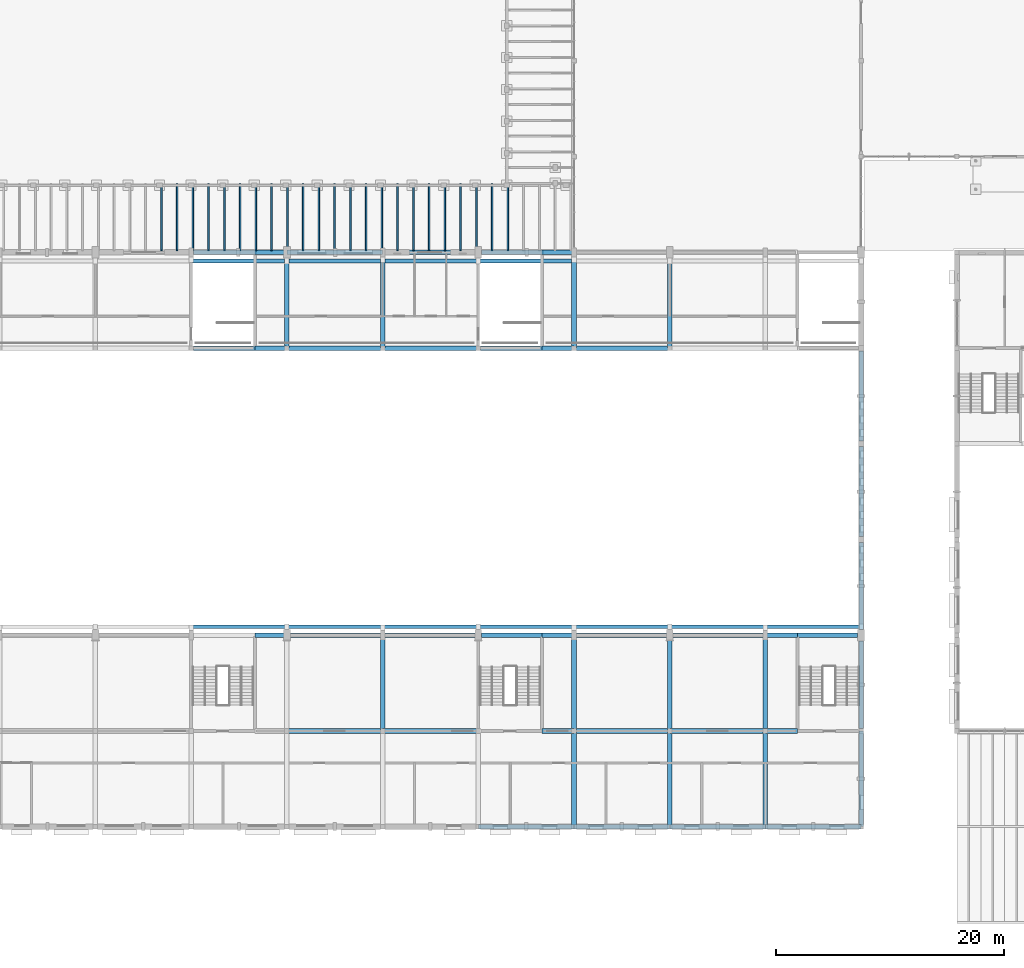
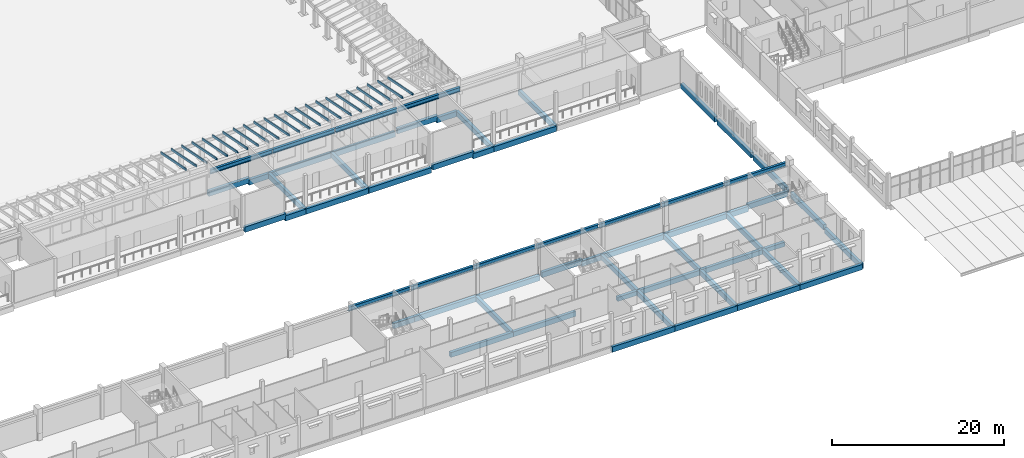
# One storey, part 9 of 60: 59 beams, 23 members.
"""IFC4 building model written with IfcOpenShell, lengths in metres."""

from ifc_helpers import new_model, si_unit, direction, frame, origin, origin_2d, place, context, subcontext, project, spatial, rectangle, i_section, extrude, material, material_profile, profile_set, type_object, element, save


model = new_model("IFC4")

# Units and contexts
model_context = context("Model", 3, precision=1e-05, world=origin(), true_north=direction((0.0, 1.0)))
body_context = subcontext(model_context, "Body", "Model", "MODEL_VIEW")
ifc_project = project(units=[si_unit("LENGTHUNIT", "METRE"), si_unit("AREAUNIT", "SQUARE_METRE"), si_unit("VOLUMEUNIT", "CUBIC_METRE"), si_unit("PLANEANGLEUNIT", "RADIAN"), si_unit("MASSUNIT", "GRAM", prefix="KILO")], contexts=[model_context])

# Site, building, storey
site_placement = place(None, origin())
site = spatial("IfcSite", under=ifc_project, at=site_placement, CompositionType="ELEMENT")
building_placement = place(site_placement, origin())
building = spatial("IfcBuilding", under=site, at=building_placement, Name="Fescue Hill Polytechnic", CompositionType="ELEMENT")
storey_placement = place(building_placement, frame((0.0, 0.0, 4.5)))
storey = spatial("IfcBuildingStorey", under=building, at=storey_placement, Name="L01", CompositionType="ELEMENT", Elevation=4.5)

# Beams
ifc_material_1 = material(Name="Concrete 35 MPa", Category="concrete")
ifc_material_profile_1 = material_profile(ifc_material_1, rectangle(XDim=0.39990234375, YDim=0.60009765625, at=origin_2d()), Name="RC 400x600")
ifc_profile_set_1 = profile_set([ifc_material_profile_1], Name="Concrete 35 MPa")
beam_type_1 = type_object("IfcBeamType", Name="Beam RC 400x600", PredefinedType="BEAM", material=ifc_profile_set_1)
beam_1_placement = place(storey_placement, frame((89.60009765625, 8.39990234375, -0.60009765625), z_axis=(1.0, 0.0, 0.0), x_axis=(0.0, 1.0, 0.0)))
element("IfcBeam", 1, at=beam_1_placement, inside=storey, type_object=beam_type_1, Name="BM-L01-0074", PredefinedType="BEAM", context=body_context, shape_type="SweptSolid", body=[
    extrude(rectangle(XDim=0.39990234375, YDim=0.60009765625, at=origin_2d()), origin(), (0.0, 0.0, 1.0), 2.789794921875),
])
beam_2_placement = place(storey_placement, frame((109.2099609375, 8.39990234375, -0.60009765625), z_axis=(1.0, 0.0, 0.0), x_axis=(0.0, 1.0, 0.0)))
element("IfcBeam", 2, at=beam_2_placement, inside=storey, type_object=beam_type_1, Name="BM-L01-0098", PredefinedType="BEAM", context=body_context, shape_type="SweptSolid", body=[
    extrude(rectangle(XDim=0.39990234375, YDim=0.60009765625, at=origin_2d()), origin(), (0.0, 0.0, 1.0), 2.7900390625),
])
ifc_material_profile_2 = material_profile(ifc_material_1, rectangle(XDim=0.39990234375, YDim=0.699951171875, at=origin_2d()), Name="RC 400x700")
ifc_profile_set_2 = profile_set([ifc_material_profile_2], Name="Concrete 35 MPa")
beam_type_2 = type_object("IfcBeamType", Name="Beam RC 400x700", PredefinedType="BEAM", material=ifc_profile_set_2)
beam_3_placement = place(storey_placement, frame((67.199951171875, 42.0, -0.64990234375), z_axis=(0.0, 1.0, 0.0), x_axis=(-1.0, 0.0, 0.0)))
element("IfcBeam", 3, at=beam_3_placement, inside=storey, type_object=beam_type_2, Name="BM-L01-0058", PredefinedType="BEAM", context=body_context, shape_type="SweptSolid", body=[
    extrude(rectangle(XDim=0.39990234375, YDim=0.699951171875, at=origin_2d()), origin(), (0.0, 0.0, 1.0), 8.39990234375),
])
beam_4_placement = place(storey_placement, frame((67.2099609375, 8.39990234375, -0.64990234375), z_axis=(1.0, 0.0, 0.0), x_axis=(0.0, 1.0, 0.0)))
element("IfcBeam", 4, at=beam_4_placement, inside=storey, type_object=beam_type_2, Name="BM-L01-0060", PredefinedType="BEAM", context=body_context, shape_type="SweptSolid", body=[
    extrude(rectangle(XDim=0.39990234375, YDim=0.699951171875, at=origin_2d()), origin(), (0.0, 0.0, 1.0), 8.380126953125),
])
beam_5_placement = place(storey_placement, frame((75.60009765625, 8.39990234375, -0.64990234375), z_axis=(0.0, 1.0, 0.0), x_axis=(-1.0, 0.0, 0.0)))
element("IfcBeam", 5, at=beam_5_placement, inside=storey, type_object=beam_type_2, Name="BM-L01-0065", PredefinedType="BEAM", context=body_context, shape_type="SweptSolid", body=[
    extrude(rectangle(XDim=0.39990234375, YDim=0.699951171875, at=origin_2d()), origin(), (0.0, 0.0, 1.0), 8.400146484375),
])
beam_6_placement = place(storey_placement, frame((75.60009765625, 42.0, -0.64990234375), z_axis=(0.0, 1.0, 0.0), x_axis=(-1.0, 0.0, 0.0)))
element("IfcBeam", 6, at=beam_6_placement, inside=storey, type_object=beam_type_2, Name="BM-L01-0066", PredefinedType="BEAM", context=body_context, shape_type="SweptSolid", body=[
    extrude(rectangle(XDim=0.39990234375, YDim=0.699951171875, at=origin_2d()), origin(), (0.0, 0.0, 1.0), 8.39990234375),
])
beam_7_placement = place(storey_placement, frame((75.610107421875, 8.39990234375, -0.64990234375), z_axis=(1.0, 0.0, 0.0), x_axis=(0.0, 1.0, 0.0)))
element("IfcBeam", 7, at=beam_7_placement, inside=storey, type_object=beam_type_2, Name="BM-L01-0068", PredefinedType="BEAM", context=body_context, shape_type="SweptSolid", body=[
    extrude(rectangle(XDim=0.39990234375, YDim=0.699951171875, at=origin_2d()), origin(), (0.0, 0.0, 1.0), 8.3798828125),
])
beam_8_placement = place(storey_placement, frame((92.39990234375, 0.0, -0.64990234375), z_axis=(0.0, 1.0, 0.0), x_axis=(-1.0, 0.0, 0.0)))
element("IfcBeam", 8, at=beam_8_placement, inside=storey, type_object=beam_type_2, Name="BM-L01-0078", PredefinedType="BEAM", context=body_context, shape_type="SweptSolid", body=[
    extrude(rectangle(XDim=0.39990234375, YDim=0.699951171875, at=origin_2d()), origin(), (0.0, 0.0, 1.0), 8.39990234375),
])
beam_9_placement = place(storey_placement, frame((92.39990234375, 8.39990234375, -0.64990234375), z_axis=(0.0, 1.0, 0.0), x_axis=(-1.0, 0.0, 0.0)))
element("IfcBeam", 9, at=beam_9_placement, inside=storey, type_object=beam_type_2, Name="BM-L01-0079", PredefinedType="BEAM", context=body_context, shape_type="SweptSolid", body=[
    extrude(rectangle(XDim=0.39990234375, YDim=0.699951171875, at=origin_2d()), origin(), (0.0, 0.0, 1.0), 8.400146484375),
])
beam_10_placement = place(storey_placement, frame((92.39990234375, 42.0, -0.64990234375), z_axis=(0.0, 1.0, 0.0), x_axis=(-1.0, 0.0, 0.0)))
element("IfcBeam", 10, at=beam_10_placement, inside=storey, type_object=beam_type_2, Name="BM-L01-0080", PredefinedType="BEAM", context=body_context, shape_type="SweptSolid", body=[
    extrude(rectangle(XDim=0.39990234375, YDim=0.699951171875, at=origin_2d()), origin(), (0.0, 0.0, 1.0), 8.39990234375),
])
beam_11_placement = place(storey_placement, frame((92.409912109375, 8.39990234375, -0.64990234375), z_axis=(1.0, 0.0, 0.0), x_axis=(0.0, 1.0, 0.0)))
element("IfcBeam", 11, at=beam_11_placement, inside=storey, type_object=beam_type_2, Name="BM-L01-0082", PredefinedType="BEAM", context=body_context, shape_type="SweptSolid", body=[
    extrude(rectangle(XDim=0.39990234375, YDim=0.699951171875, at=origin_2d()), origin(), (0.0, 0.0, 1.0), 8.380126953125),
])
beam_12_placement = place(storey_placement, frame((100.800048828125, 0.0, -0.64990234375), z_axis=(0.0, 1.0, 0.0), x_axis=(-1.0, 0.0, 0.0)))
element("IfcBeam", 12, at=beam_12_placement, inside=storey, type_object=beam_type_2, Name="BM-L01-0086", PredefinedType="BEAM", context=body_context, shape_type="SweptSolid", body=[
    extrude(rectangle(XDim=0.39990234375, YDim=0.699951171875, at=origin_2d()), origin(), (0.0, 0.0, 1.0), 8.39990234375),
])
beam_13_placement = place(storey_placement, frame((100.800048828125, 8.39990234375, -0.64990234375), z_axis=(0.0, 1.0, 0.0), x_axis=(-1.0, 0.0, 0.0)))
element("IfcBeam", 13, at=beam_13_placement, inside=storey, type_object=beam_type_2, Name="BM-L01-0087", PredefinedType="BEAM", context=body_context, shape_type="SweptSolid", body=[
    extrude(rectangle(XDim=0.39990234375, YDim=0.699951171875, at=origin_2d()), origin(), (0.0, 0.0, 1.0), 8.400146484375),
])
beam_14_placement = place(storey_placement, frame((100.800048828125, 42.0, -0.64990234375), z_axis=(0.0, 1.0, 0.0), x_axis=(-1.0, 0.0, 0.0)))
element("IfcBeam", 14, at=beam_14_placement, inside=storey, type_object=beam_type_2, Name="BM-L01-0088", PredefinedType="BEAM", context=body_context, shape_type="SweptSolid", body=[
    extrude(rectangle(XDim=0.39990234375, YDim=0.699951171875, at=origin_2d()), origin(), (0.0, 0.0, 1.0), 8.39990234375),
])
beam_15_placement = place(storey_placement, frame((100.81005859375, 8.39990234375, -0.64990234375), z_axis=(1.0, 0.0, 0.0), x_axis=(0.0, 1.0, 0.0)))
element("IfcBeam", 15, at=beam_15_placement, inside=storey, type_object=beam_type_2, Name="BM-L01-0090", PredefinedType="BEAM", context=body_context, shape_type="SweptSolid", body=[
    extrude(rectangle(XDim=0.39990234375, YDim=0.699951171875, at=origin_2d()), origin(), (0.0, 0.0, 1.0), 8.3798828125),
])
beam_16_placement = place(storey_placement, frame((109.199951171875, 0.0, -0.64990234375), z_axis=(0.0, 1.0, 0.0), x_axis=(-1.0, 0.0, 0.0)))
element("IfcBeam", 16, at=beam_16_placement, inside=storey, type_object=beam_type_2, Name="BM-L01-0094", PredefinedType="BEAM", context=body_context, shape_type="SweptSolid", body=[
    extrude(rectangle(XDim=0.39990234375, YDim=0.699951171875, at=origin_2d()), origin(), (0.0, 0.0, 1.0), 8.39990234375),
])
beam_17_placement = place(storey_placement, frame((109.199951171875, 8.39990234375, -0.64990234375), z_axis=(0.0, 1.0, 0.0), x_axis=(-1.0, 0.0, 0.0)))
element("IfcBeam", 17, at=beam_17_placement, inside=storey, type_object=beam_type_2, Name="BM-L01-0095", PredefinedType="BEAM", context=body_context, shape_type="SweptSolid", body=[
    extrude(rectangle(XDim=0.39990234375, YDim=0.699951171875, at=origin_2d()), origin(), (0.0, 0.0, 1.0), 8.400146484375),
])
ifc_material_profile_3 = material_profile(ifc_material_1, rectangle(XDim=0.39990234375, YDim=0.75, at=origin_2d()), Name="RC 400x750")
ifc_profile_set_3 = profile_set([ifc_material_profile_3], Name="Concrete 35 MPa")
beam_type_3 = type_object("IfcBeamType", Name="Beam RC 400x750", PredefinedType="BEAM", material=ifc_profile_set_3)
for number, where, z_axis, x_axis, name in (
    (18, (64.39990234375, 16.800048828125, -0.675048828125), (1.0, 0.0, 0.0), (0.0, 1.0, 0.0), "BM-L01-0053"),
    (19, (64.39990234375, 42.0, -0.675048828125), (1.0, 0.0, 0.0), (0.0, 1.0, 0.0), "BM-L01-0054"),
    (20, (64.39990234375, 50.39990234375, -0.675048828125), (1.0, 0.0, 0.0), (0.0, 1.0, 0.0), "BM-L01-0055"),
):
    element("IfcBeam", number, at=place(storey_placement, frame(where, z_axis=z_axis, x_axis=x_axis)), inside=storey, type_object=beam_type_3, Name=name, PredefinedType="BEAM", context=body_context, shape_type="SweptSolid", body=[
        extrude(rectangle(XDim=0.39990234375, YDim=0.75, at=origin_2d()), origin(), (0.0, 0.0, 1.0), 2.7900390625),
    ])
for number, where, z_axis, x_axis, name in (
    (21, (67.2099609375, 16.800048828125, -0.675048828125), (1.0, 0.0, 0.0), (0.0, 1.0, 0.0), "BM-L01-0061"),
    (22, (67.2099609375, 42.0, -0.675048828125), (1.0, 0.0, 0.0), (0.0, 1.0, 0.0), "BM-L01-0062"),
    (23, (67.2099609375, 50.39990234375, -0.675048828125), (1.0, 0.0, 0.0), (0.0, 1.0, 0.0), "BM-L01-0063"),
):
    element("IfcBeam", number, at=place(storey_placement, frame(where, z_axis=z_axis, x_axis=x_axis)), inside=storey, type_object=beam_type_3, Name=name, PredefinedType="BEAM", context=body_context, shape_type="SweptSolid", body=[
        extrude(rectangle(XDim=0.39990234375, YDim=0.75, at=origin_2d()), origin(), (0.0, 0.0, 1.0), 8.380126953125),
    ])
for number, where, z_axis, x_axis, name in (
    (24, (75.610107421875, 16.800048828125, -0.675048828125), (1.0, 0.0, 0.0), (0.0, 1.0, 0.0), "BM-L01-0069"),
    (25, (75.610107421875, 42.0, -0.675048828125), (1.0, 0.0, 0.0), (0.0, 1.0, 0.0), "BM-L01-0070"),
    (26, (75.610107421875, 50.39990234375, -0.675048828125), (1.0, 0.0, 0.0), (0.0, 1.0, 0.0), "BM-L01-0071"),
):
    element("IfcBeam", number, at=place(storey_placement, frame(where, z_axis=z_axis, x_axis=x_axis)), inside=storey, type_object=beam_type_3, Name=name, PredefinedType="BEAM", context=body_context, shape_type="SweptSolid", body=[
        extrude(rectangle(XDim=0.39990234375, YDim=0.75, at=origin_2d()), origin(), (0.0, 0.0, 1.0), 8.389892578125),
    ])
beam_18_placement = place(storey_placement, frame((84.010009765625, 0.0, -0.675048828125), z_axis=(1.0, 0.0, 0.0), x_axis=(0.0, 1.0, 0.0)))
element("IfcBeam", 27, at=beam_18_placement, inside=storey, type_object=beam_type_3, Name="BM-L01-0073", PredefinedType="BEAM", context=body_context, shape_type="SweptSolid", body=[
    extrude(rectangle(XDim=0.39990234375, YDim=0.75, at=origin_2d()), origin(), (0.0, 0.0, 1.0), 8.3798828125),
])
for number, where, z_axis, x_axis, name in (
    (28, (89.60009765625, 16.800048828125, -0.675048828125), (1.0, 0.0, 0.0), (0.0, 1.0, 0.0), "BM-L01-0075"),
    (29, (89.60009765625, 42.0, -0.675048828125), (1.0, 0.0, 0.0), (0.0, 1.0, 0.0), "BM-L01-0076"),
    (30, (89.60009765625, 50.39990234375, -0.675048828125), (1.0, 0.0, 0.0), (0.0, 1.0, 0.0), "BM-L01-0077"),
):
    element("IfcBeam", number, at=place(storey_placement, frame(where, z_axis=z_axis, x_axis=x_axis)), inside=storey, type_object=beam_type_3, Name=name, PredefinedType="BEAM", context=body_context, shape_type="SweptSolid", body=[
        extrude(rectangle(XDim=0.39990234375, YDim=0.75, at=origin_2d()), origin(), (0.0, 0.0, 1.0), 2.789794921875),
    ])
for number, where, z_axis, x_axis, name in (
    (31, (92.409912109375, 0.0, -0.675048828125), (1.0, 0.0, 0.0), (0.0, 1.0, 0.0), "BM-L01-0081"),
    (32, (92.409912109375, 16.800048828125, -0.675048828125), (1.0, 0.0, 0.0), (0.0, 1.0, 0.0), "BM-L01-0083"),
    (33, (92.409912109375, 42.0, -0.675048828125), (1.0, 0.0, 0.0), (0.0, 1.0, 0.0), "BM-L01-0084"),
):
    element("IfcBeam", number, at=place(storey_placement, frame(where, z_axis=z_axis, x_axis=x_axis)), inside=storey, type_object=beam_type_3, Name=name, PredefinedType="BEAM", context=body_context, shape_type="SweptSolid", body=[
        extrude(rectangle(XDim=0.39990234375, YDim=0.75, at=origin_2d()), origin(), (0.0, 0.0, 1.0), 8.380126953125),
    ])
for number, where, z_axis, x_axis, name in (
    (34, (100.81005859375, 0.0, -0.675048828125), (1.0, 0.0, 0.0), (0.0, 1.0, 0.0), "BM-L01-0089"),
    (35, (100.81005859375, 16.800048828125, -0.675048828125), (1.0, 0.0, 0.0), (0.0, 1.0, 0.0), "BM-L01-0091"),
):
    element("IfcBeam", number, at=place(storey_placement, frame(where, z_axis=z_axis, x_axis=x_axis)), inside=storey, type_object=beam_type_3, Name=name, PredefinedType="BEAM", context=body_context, shape_type="SweptSolid", body=[
        extrude(rectangle(XDim=0.39990234375, YDim=0.75, at=origin_2d()), origin(), (0.0, 0.0, 1.0), 8.3798828125),
    ])
beam_19_placement = place(storey_placement, frame((109.2099609375, 0.0, -0.675048828125), z_axis=(1.0, 0.0, 0.0), x_axis=(0.0, 1.0, 0.0)))
element("IfcBeam", 36, at=beam_19_placement, inside=storey, type_object=beam_type_3, Name="BM-L01-0097", PredefinedType="BEAM", context=body_context, shape_type="SweptSolid", body=[
    extrude(rectangle(XDim=0.39990234375, YDim=0.75, at=origin_2d()), origin(), (0.0, 0.0, 1.0), 8.380126953125),
])
beam_20_placement = place(storey_placement, frame((109.2099609375, 16.800048828125, -0.675048828125), z_axis=(1.0, 0.0, 0.0), x_axis=(0.0, 1.0, 0.0)))
element("IfcBeam", 37, at=beam_20_placement, inside=storey, type_object=beam_type_3, Name="BM-L01-0099", PredefinedType="BEAM", context=body_context, shape_type="SweptSolid", body=[
    extrude(rectangle(XDim=0.39990234375, YDim=0.75, at=origin_2d()), origin(), (0.0, 0.0, 1.0), 2.7900390625),
])
beam_21_placement = place(storey_placement, frame((117.60009765625, 0.0, -0.675048828125), z_axis=(0.0, 1.0, 0.0), x_axis=(-1.0, 0.0, 0.0)))
element("IfcBeam", 38, at=beam_21_placement, inside=storey, type_object=beam_type_3, Name="BM-L01-0102", PredefinedType="BEAM", context=body_context, shape_type="SweptSolid", body=[
    extrude(rectangle(XDim=0.39990234375, YDim=0.75, at=origin_2d()), origin(), (0.0, 0.0, 1.0), 8.39990234375),
])
for number, where, z_axis, x_axis, name in (
    (39, (59.0, 42.0, -0.375), (1.0, 0.0, 0.0), (0.0, 1.0, 0.0), "BM-L01-0133"),
    (40, (59.0, 50.39990234375, -0.375), (1.0, 0.0, 0.0), (0.0, 1.0, 0.0), "BM-L01-0134"),
):
    element("IfcBeam", number, at=place(storey_placement, frame(where, z_axis=z_axis, x_axis=x_axis)), inside=storey, type_object=beam_type_3, Name=name, PredefinedType="BEAM", context=body_context, shape_type="SweptSolid", body=[
        extrude(rectangle(XDim=0.39990234375, YDim=0.75, at=origin_2d()), origin(), (0.0, 0.0, 1.0), 5.52490234375),
    ])
beam_22_placement = place(storey_placement, frame((84.199951171875, 42.0, -0.375), z_axis=(1.0, 0.0, 0.0), x_axis=(0.0, 1.0, 0.0)))
element("IfcBeam", 41, at=beam_22_placement, inside=storey, type_object=beam_type_3, Name="BM-L01-0135", PredefinedType="BEAM", context=body_context, shape_type="SweptSolid", body=[
    extrude(rectangle(XDim=0.39990234375, YDim=0.75, at=origin_2d()), origin(), (0.0, 0.0, 1.0), 5.525146484375),
])
for number, where, z_axis, x_axis, name in (
    (42, (84.300048828125, 16.800048828125, -0.375), (1.0, 0.0, 0.0), (0.0, 1.0, 0.0), "BM-L01-0136"),
    (43, (84.300048828125, 50.39990234375, -0.375), (1.0, 0.0, 0.0), (0.0, 1.0, 0.0), "BM-L01-0137"),
    (44, (111.875, 16.800048828125, -0.375), (1.0, 0.0, 0.0), (0.0, 1.0, 0.0), "BM-L01-0138"),
):
    element("IfcBeam", number, at=place(storey_placement, frame(where, z_axis=z_axis, x_axis=x_axis)), inside=storey, type_object=beam_type_3, Name=name, PredefinedType="BEAM", context=body_context, shape_type="SweptSolid", body=[
        extrude(rectangle(XDim=0.39990234375, YDim=0.75, at=origin_2d()), origin(), (0.0, 0.0, 1.0), 5.425048828125),
    ])
beam_23_placement = place(storey_placement, frame((117.60009765625, 8.60009765625, -0.375), z_axis=(0.0, 1.0, 0.0), x_axis=(-1.0, 0.0, 0.0)))
element("IfcBeam", 45, at=beam_23_placement, inside=storey, type_object=beam_type_3, Name="BM-L01-0140", PredefinedType="BEAM", context=body_context, shape_type="SweptSolid", body=[
    extrude(rectangle(XDim=0.39990234375, YDim=0.75, at=origin_2d()), origin(), (0.0, 0.0, 1.0), 7.699951171875),
])
beam_24_placement = place(storey_placement, frame((117.60009765625, 17.300048828125, -0.375), z_axis=(0.0, 1.0, 0.0), x_axis=(-1.0, 0.0, 0.0)))
element("IfcBeam", 46, at=beam_24_placement, inside=storey, type_object=beam_type_3, Name="BM-L01-0141", PredefinedType="BEAM", context=body_context, shape_type="SweptSolid", body=[
    extrude(rectangle(XDim=0.39990234375, YDim=0.75, at=origin_2d()), origin(), (0.0, 0.0, 1.0), 7.64990234375),
])
beam_25_placement = place(storey_placement, frame((117.60009765625, 25.449951171875, -0.375), z_axis=(0.0, 1.0, 0.0), x_axis=(-1.0, 0.0, 0.0)))
element("IfcBeam", 47, at=beam_25_placement, inside=storey, type_object=beam_type_3, Name="BM-L01-0142", PredefinedType="BEAM", context=body_context, shape_type="SweptSolid", body=[
    extrude(rectangle(XDim=0.39990234375, YDim=0.75, at=origin_2d()), origin(), (0.0, 0.0, 1.0), 7.900146484375),
])
beam_26_placement = place(storey_placement, frame((117.60009765625, 33.85009765625, -0.375), z_axis=(0.0, 1.0, 0.0), x_axis=(-1.0, 0.0, 0.0)))
element("IfcBeam", 48, at=beam_26_placement, inside=storey, type_object=beam_type_3, Name="BM-L01-0143", PredefinedType="BEAM", context=body_context, shape_type="SweptSolid", body=[
    extrude(rectangle(XDim=0.39990234375, YDim=0.75, at=origin_2d()), origin(), (0.0, 0.0, 1.0), 7.89990234375),
])
ifc_material_2 = material(Name="Steel 350W (350 MPa)", Category="steel")
ifc_material_profile_4 = material_profile(ifc_material_2, i_section(OverallWidth=0.323974609375, OverallDepth=0.611083984375, WebThickness=0.0126953125, FlangeThickness=0.01904296875, FilletRadius=0.02197265625, at=origin_2d()), Name="W610x155")
ifc_profile_set_4 = profile_set([ifc_material_profile_4], Name="Steel 350W (350 MPa)")
beam_type_4 = type_object("IfcBeamType", Name="Crane runway girder W610x155", PredefinedType="BEAM", material=ifc_profile_set_4)
beam_27_placement = place(storey_placement, frame((58.85009765625, 17.550048828125, 3.194580078125), z_axis=(1.0, 0.0, 0.0), x_axis=(0.0, 1.0, 0.0)))
element("IfcBeam", 49, at=beam_27_placement, inside=storey, type_object=beam_type_4, Name="Crane runway girder S8", PredefinedType="BEAM", context=body_context, shape_type="SweptSolid", body=[
    extrude(i_section(OverallWidth=0.323974609375, OverallDepth=0.611083984375, WebThickness=0.0126953125, FlangeThickness=0.01904296875, FilletRadius=0.02197265625, at=origin_2d()), origin(), (0.0, 0.0, 1.0), 8.2998046875),
])
for number, where, z_axis, x_axis, name in (
    (50, (67.25, 17.550048828125, 3.194580078125), (1.0, 0.0, 0.0), (0.0, 1.0, 0.0), "Crane runway girder S9"),
    (51, (75.64990234375, 17.550048828125, 3.194580078125), (1.0, 0.0, 0.0), (0.0, 1.0, 0.0), "Crane runway girder S10"),
    (52, (84.050048828125, 17.550048828125, 3.194580078125), (1.0, 0.0, 0.0), (0.0, 1.0, 0.0), "Crane runway girder S11"),
    (53, (92.449951171875, 17.550048828125, 3.194580078125), (1.0, 0.0, 0.0), (0.0, 1.0, 0.0), "Crane runway girder S12"),
):
    element("IfcBeam", number, at=place(storey_placement, frame(where, z_axis=z_axis, x_axis=x_axis)), inside=storey, type_object=beam_type_4, Name=name, PredefinedType="BEAM", context=body_context, shape_type="SweptSolid", body=[
        extrude(i_section(OverallWidth=0.323974609375, OverallDepth=0.611083984375, WebThickness=0.0126953125, FlangeThickness=0.01904296875, FilletRadius=0.02197265625, at=origin_2d()), origin(), (0.0, 0.0, 1.0), 8.300048828125),
    ])
beam_28_placement = place(storey_placement, frame((100.85009765625, 17.550048828125, 3.194580078125), z_axis=(1.0, 0.0, 0.0), x_axis=(0.0, 1.0, 0.0)))
element("IfcBeam", 54, at=beam_28_placement, inside=storey, type_object=beam_type_4, Name="Crane runway girder S13", PredefinedType="BEAM", context=body_context, shape_type="SweptSolid", body=[
    extrude(i_section(OverallWidth=0.323974609375, OverallDepth=0.611083984375, WebThickness=0.0126953125, FlangeThickness=0.01904296875, FilletRadius=0.02197265625, at=origin_2d()), origin(), (0.0, 0.0, 1.0), 8.2998046875),
])
beam_29_placement = place(storey_placement, frame((109.25, 17.550048828125, 3.194580078125), z_axis=(1.0, 0.0, 0.0), x_axis=(0.0, 1.0, 0.0)))
element("IfcBeam", 55, at=beam_29_placement, inside=storey, type_object=beam_type_4, Name="Crane runway girder S14", PredefinedType="BEAM", context=body_context, shape_type="SweptSolid", body=[
    extrude(i_section(OverallWidth=0.323974609375, OverallDepth=0.611083984375, WebThickness=0.0126953125, FlangeThickness=0.01904296875, FilletRadius=0.02197265625, at=origin_2d()), origin(), (0.0, 0.0, 1.0), 8.300048828125),
])
beam_30_placement = place(storey_placement, frame((58.85009765625, 49.64990234375, 3.194580078125), z_axis=(1.0, 0.0, 0.0), x_axis=(0.0, 1.0, 0.0)))
element("IfcBeam", 56, at=beam_30_placement, inside=storey, type_object=beam_type_4, Name="Crane runway girder N8", PredefinedType="BEAM", context=body_context, shape_type="SweptSolid", body=[
    extrude(i_section(OverallWidth=0.323974609375, OverallDepth=0.611083984375, WebThickness=0.0126953125, FlangeThickness=0.01904296875, FilletRadius=0.02197265625, at=origin_2d()), origin(), (0.0, 0.0, 1.0), 8.2998046875),
])
for number, where, z_axis, x_axis, name in (
    (57, (67.25, 49.64990234375, 3.194580078125), (1.0, 0.0, 0.0), (0.0, 1.0, 0.0), "Crane runway girder N9"),
    (58, (75.64990234375, 49.64990234375, 3.194580078125), (1.0, 0.0, 0.0), (0.0, 1.0, 0.0), "Crane runway girder N10"),
    (59, (84.050048828125, 49.64990234375, 3.194580078125), (1.0, 0.0, 0.0), (0.0, 1.0, 0.0), "Crane runway girder N11"),
):
    element("IfcBeam", number, at=place(storey_placement, frame(where, z_axis=z_axis, x_axis=x_axis)), inside=storey, type_object=beam_type_4, Name=name, PredefinedType="BEAM", context=body_context, shape_type="SweptSolid", body=[
        extrude(i_section(OverallWidth=0.323974609375, OverallDepth=0.611083984375, WebThickness=0.0126953125, FlangeThickness=0.01904296875, FilletRadius=0.02197265625, at=origin_2d()), origin(), (0.0, 0.0, 1.0), 8.300048828125),
    ])

# Members
ifc_material_3 = material(Name="Glulam 24f-EX", Category="wood")
ifc_material_profile_5 = material_profile(ifc_material_3, rectangle(XDim=0.1298828125, YDim=0.303955078125, at=origin_2d()), Name="Veranda rafter 130x304")
ifc_profile_set_5 = profile_set([ifc_material_profile_5], Name="Glulam 24f-EX")
member_type = type_object("IfcMemberType", Name="Veranda rafter 130x304", PredefinedType="RAFTER", material=ifc_profile_set_5)
for number, where, z_axis, x_axis, name in (
    (60, (56.1845703125, 50.574951171875, 3.84130859375), (0.0, 0.981058505285, -0.193711665133), (-1.0, 0.0, 0.0), "Hall veranda rafter"),
    (61, (57.5673828125, 50.574951171875, 3.84130859375), (0.0, 0.981058505285, -0.193711665133), (-1.0, 0.0, 0.0), "Hall veranda rafter"),
    (62, (58.949951171875, 50.574951171875, 3.84130859375), (0.0, 0.981058505285, -0.193711665133), (-1.0, 0.0, 0.0), "Hall veranda rafter"),
    (63, (60.332763671875, 50.574951171875, 3.84130859375), (0.0, 0.981058505285, -0.193711665133), (-1.0, 0.0, 0.0), "Hall veranda rafter"),
    (64, (61.71533203125, 50.574951171875, 3.84130859375), (0.0, 0.981058505285, -0.193711665133), (-1.0, 0.0, 0.0), "Hall veranda rafter"),
    (65, (63.09814453125, 50.574951171875, 3.84130859375), (0.0, 0.981058505285, -0.193711665133), (-1.0, 0.0, 0.0), "Hall veranda rafter"),
    (66, (64.480712890625, 50.574951171875, 3.84130859375), (0.0, 0.981058505285, -0.193711665133), (-1.0, 0.0, 0.0), "Hall veranda rafter"),
    (67, (65.863525390625, 50.574951171875, 3.84130859375), (0.0, 0.981058505285, -0.193711665133), (-1.0, 0.0, 0.0), "Hall veranda rafter"),
    (68, (67.246337890625, 50.574951171875, 3.84130859375), (0.0, 0.981058505285, -0.193711665133), (-1.0, 0.0, 0.0), "Hall veranda rafter"),
    (69, (68.62890625, 50.574951171875, 3.84130859375), (0.0, 0.981058505285, -0.193711665133), (-1.0, 0.0, 0.0), "Hall veranda rafter"),
    (70, (70.01171875, 50.574951171875, 3.84130859375), (0.0, 0.981058505285, -0.193711665133), (-1.0, 0.0, 0.0), "Hall veranda rafter"),
    (71, (71.394287109375, 50.574951171875, 3.84130859375), (0.0, 0.981058505285, -0.193711665133), (-1.0, 0.0, 0.0), "Hall veranda rafter"),
    (72, (72.777099609375, 50.574951171875, 3.84130859375), (0.0, 0.981058505285, -0.193711665133), (-1.0, 0.0, 0.0), "Hall veranda rafter"),
    (73, (74.15966796875, 50.574951171875, 3.84130859375), (0.0, 0.981058505285, -0.193711665133), (-1.0, 0.0, 0.0), "Hall veranda rafter"),
    (74, (75.54248046875, 50.574951171875, 3.84130859375), (0.0, 0.981058505285, -0.193711665133), (-1.0, 0.0, 0.0), "Hall veranda rafter"),
    (75, (76.92529296875, 50.574951171875, 3.84130859375), (0.0, 0.981058505285, -0.193711665133), (-1.0, 0.0, 0.0), "Hall veranda rafter"),
    (76, (78.307861328125, 50.574951171875, 3.84130859375), (0.0, 0.981058505285, -0.193711665133), (-1.0, 0.0, 0.0), "Hall veranda rafter"),
    (77, (79.690673828125, 50.574951171875, 3.84130859375), (0.0, 0.981058505285, -0.193711665133), (-1.0, 0.0, 0.0), "Hall veranda rafter"),
    (78, (81.0732421875, 50.574951171875, 3.84130859375), (0.0, 0.981058505285, -0.193711665133), (-1.0, 0.0, 0.0), "Hall veranda rafter"),
    (79, (82.4560546875, 50.574951171875, 3.84130859375), (0.0, 0.981058505285, -0.193711665133), (-1.0, 0.0, 0.0), "Hall veranda rafter"),
    (80, (83.8388671875, 50.574951171875, 3.84130859375), (0.0, 0.981058505285, -0.193711665133), (-1.0, 0.0, 0.0), "Hall veranda rafter"),
    (81, (85.221435546875, 50.574951171875, 3.84130859375), (0.0, 0.981058505285, -0.193711665133), (-1.0, 0.0, 0.0), "Hall veranda rafter"),
    (82, (86.604248046875, 50.574951171875, 3.84130859375), (0.0, 0.981058505285, -0.193711665133), (-1.0, 0.0, 0.0), "Hall veranda rafter"),
):
    element("IfcMember", number, at=place(storey_placement, frame(where, z_axis=z_axis, x_axis=x_axis)), inside=storey, type_object=member_type, Name=name, PredefinedType="RAFTER", context=body_context, shape_type="SweptSolid", body=[
        extrude(rectangle(XDim=0.1298828125, YDim=0.303955078125, at=origin_2d()), origin(), (0.0, 0.0, 1.0), 5.9375),
    ])

save(model, "model.ifc")
